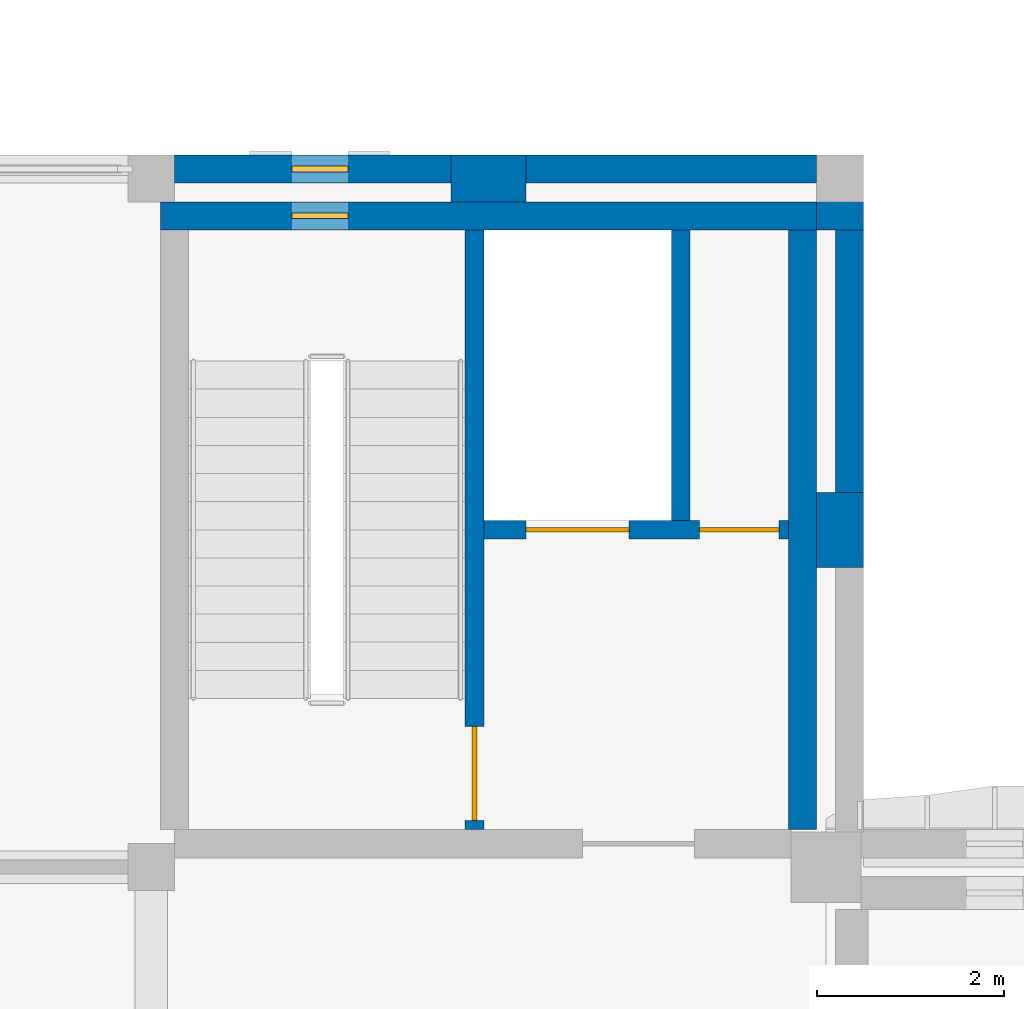
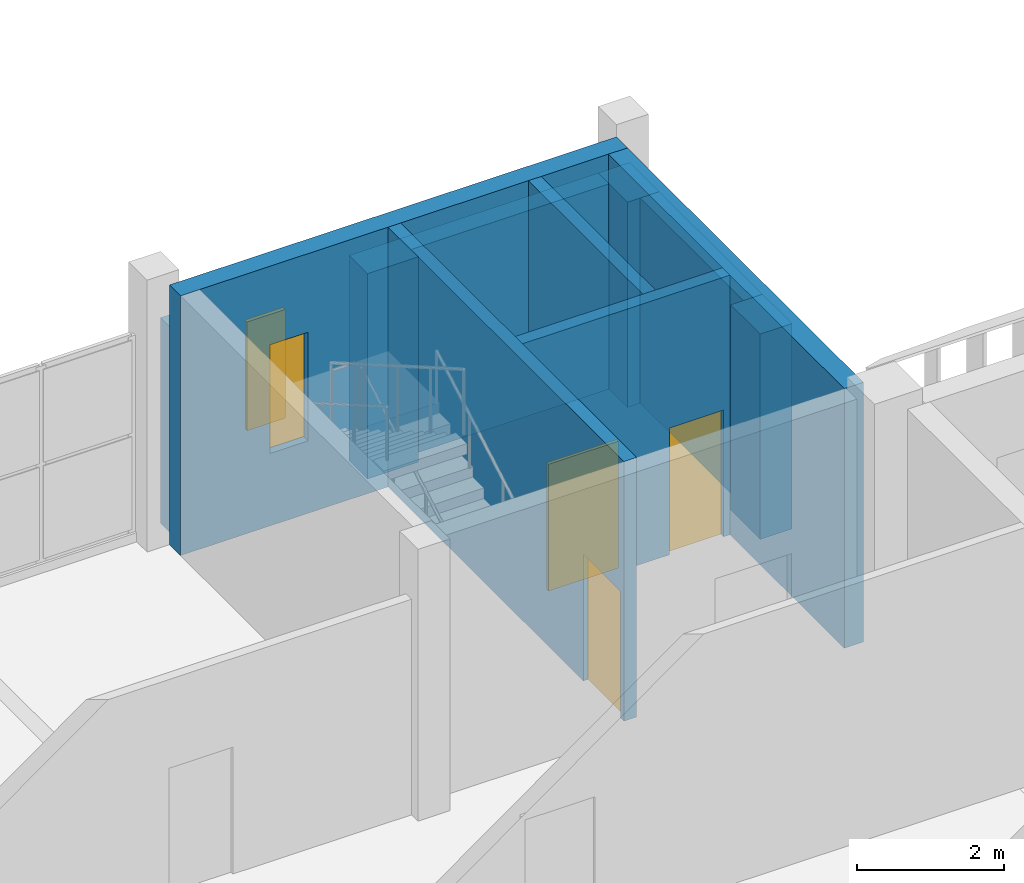
# One storey, part 25 of 58: 11 walls, 3 doors, 2 windows, 5 openings.
"""IFC4 building model written with IfcOpenShell, lengths in metres."""

from ifc_helpers import new_model, si_unit, direction, frame, frame_2d, origin, place, context, subcontext, project, spatial, rectangle, extrude, material, layer, layer_set, type_object, element, fill, save


model = new_model("IFC4")

# Units and contexts
model_context = context("Model", 3, precision=1e-05, world=origin(), true_north=direction((0.0, 1.0)))
body_context = subcontext(model_context, "Body", "Model", "MODEL_VIEW")
ifc_project = project(units=[si_unit("LENGTHUNIT", "METRE"), si_unit("AREAUNIT", "SQUARE_METRE"), si_unit("VOLUMEUNIT", "CUBIC_METRE"), si_unit("PLANEANGLEUNIT", "RADIAN"), si_unit("MASSUNIT", "GRAM", prefix="KILO")], contexts=[model_context])

# Site, building, storey
site_placement = place(None, origin())
site = spatial("IfcSite", under=ifc_project, at=site_placement, CompositionType="ELEMENT")
building_placement = place(site_placement, origin())
building = spatial("IfcBuilding", under=site, at=building_placement, Name="Ussher Court Research Institute", CompositionType="ELEMENT")
storey_placement = place(building_placement, frame((0.0, 0.0, 9.89990234375)))
storey = spatial("IfcBuildingStorey", under=building, at=storey_placement, Name="L02", CompositionType="ELEMENT", Elevation=9.89990234375)

# Wall, opening, window
ifc_material_1 = material(Name="Limestone facing on blockwork", Category="masonry")
ifc_layer_1 = layer(ifc_material_1, 0.300048828125)
ifc_layer_set_1 = layer_set([ifc_layer_1], Name="Limestone facing on blockwork")
wall_type_1 = type_object("IfcWallType", Name="External wall 300 stair enclosure", PredefinedType="SOLIDWALL", material=ifc_layer_set_1)
wall_1_placement = place(storey_placement, frame((75.25, 40.25, 0.0), z_axis=(0.0, 0.0, 1.0), x_axis=(1.0, 0.0, 0.0)))
wall_1 = element("IfcWall", 1, at=wall_1_placement, inside=storey, type_object=wall_type_1, Name="External wall EW5 L02", PredefinedType="SOLIDWALL", context=body_context, shape_type="SweptSolid", body=[
    extrude(rectangle(XDim=2.949951171875, YDim=0.300048828125, at=frame_2d((1.47509765625, 0.0))), origin(), (0.0, 0.0, 1.0), 3.400146484375),
])
opening_1_placement = place(wall_1_placement, frame((1.25, 0.0, 1.199951171875)))
opening_1 = element("IfcOpeningElement", 2, at=opening_1_placement, cuts=wall_1, Name="Opening W25", PredefinedType="OPENING", context=body_context, shape_type="SweptSolid", body=[
    extrude(rectangle(XDim=0.60009765625, YDim=1.800048828125, at=frame_2d((0.300048828125, 0.89990234375))), frame((0.0, 0.16015625, 0.0), z_axis=(0.0, -1.0, 0.0), x_axis=(1.0, 0.0, 0.0)), (0.0, 0.0, 1.0), 0.320068359375),
])
ifc_material_2 = material(Name="Bronze anodised aluminium with double glazing", Category="aluminium")
window_type = type_object("IfcWindowType", Name="Stair light slot window 600x1800 fire-resisting glazing", PartitioningType="SINGLE_PANEL", PredefinedType="WINDOW", material=ifc_material_2)
window_1_placement = place(opening_1_placement, origin())
window_1 = element("IfcWindow", 3, at=window_1_placement, inside=storey, type_object=window_type, Name="Window W25 L02", OverallHeight=1.800048828125, OverallWidth=0.60009765625, PartitioningType="SINGLE_PANEL", PredefinedType="WINDOW", context=body_context, shape_type="SweptSolid", body=[
    extrude(rectangle(XDim=0.60009765625, YDim=1.800048828125, at=frame_2d((0.300048828125, 0.89990234375))), frame((0.0, 0.030029296875, 0.0), z_axis=(0.0, -1.0, 0.0), x_axis=(1.0, 0.0, 0.0)), (0.0, 0.0, 1.0), 0.06005859375),
])
fill(opening_1, window_1)

# Walls
wall_2_placement = place(storey_placement, frame((79.0, 40.25, 0.0), z_axis=(0.0, 0.0, 1.0), x_axis=(1.0, 0.0, 0.0)))
element("IfcWall", 4, at=wall_2_placement, inside=storey, type_object=wall_type_1, Name="External wall EW5 L02", PredefinedType="SOLIDWALL", context=body_context, shape_type="SweptSolid", body=[
    extrude(rectangle(XDim=3.10009765625, YDim=0.300048828125, at=frame_2d((1.550048828125, 0.0))), origin(), (0.0, 0.0, 1.0), 3.400146484375),
])
wall_3_placement = place(storey_placement, frame((82.449951171875, 39.60009765625, 0.0), z_axis=(0.0, 0.0, 1.0), x_axis=(0.0, -1.0, 0.0)))
element("IfcWall", 5, at=wall_3_placement, inside=storey, type_object=wall_type_1, Name="External wall EW5 L02", PredefinedType="SOLIDWALL", context=body_context, shape_type="SweptSolid", body=[
    extrude(rectangle(XDim=2.800048828125, YDim=0.300048828125, at=frame_2d((1.39990234375, 0.0))), origin(), (0.0, 0.0, 1.0), 3.400146484375),
])
ifc_material_3 = material(Name="Rusticated limestone facing on blockwork", Category="masonry")
ifc_layer_2 = layer(ifc_material_3, 0.5)
ifc_layer_set_2 = layer_set([ifc_layer_2], Name="Rusticated limestone facing on blockwork")
wall_type_2 = type_object("IfcWallType", Name="Pier 800x500 rusticated limestone", PredefinedType="SOLIDWALL", material=ifc_layer_set_2)
wall_4_placement = place(storey_placement, frame((78.199951171875, 40.14990234375, 0.0), z_axis=(0.0, 0.0, 1.0), x_axis=(1.0, 0.0, 0.0)))
element("IfcWall", 6, at=wall_4_placement, inside=storey, type_object=wall_type_2, Name="Pier PR2 L02", PredefinedType="SOLIDWALL", context=body_context, shape_type="SweptSolid", body=[
    extrude(rectangle(XDim=0.800048828125, YDim=0.5, at=frame_2d((0.39990234375, 0.0))), origin(), (0.0, 0.0, 1.0), 3.400146484375),
])
wall_5_placement = place(storey_placement, frame((82.35009765625, 40.39990234375, 0.0), z_axis=(0.0, 0.0, 1.0), x_axis=(0.0, -1.0, 0.0)))
element("IfcWall", 7, at=wall_5_placement, inside=storey, type_object=wall_type_2, Name="Pier PR2 L02", PredefinedType="SOLIDWALL", context=body_context, shape_type="SweptSolid", body=[
    extrude(rectangle(XDim=0.7998046875, YDim=0.5, at=frame_2d((0.39990234375, 0.0))), origin(), (0.0, 0.0, 1.0), 3.400146484375),
])
wall_6_placement = place(storey_placement, frame((82.35009765625, 36.800048828125, 0.0), z_axis=(0.0, 0.0, 1.0), x_axis=(0.0, -1.0, 0.0)))
element("IfcWall", 8, at=wall_6_placement, inside=storey, type_object=wall_type_2, Name="Pier PR2 L02", PredefinedType="SOLIDWALL", context=body_context, shape_type="SweptSolid", body=[
    extrude(rectangle(XDim=0.800048828125, YDim=0.5, at=frame_2d((0.39990234375, 0.0))), origin(), (0.0, 0.0, 1.0), 3.400146484375),
])

# Wall, opening, door
ifc_material_4 = material(Name="Concrete C35/45", Category="concrete")
ifc_layer_3 = layer(ifc_material_4, 0.199951171875)
ifc_layer_set_3 = layer_set([ifc_layer_3], Name="Concrete C35/45")
wall_type_3 = type_object("IfcWallType", Name="RC core wall 200", PredefinedType="SHEAR", material=ifc_layer_set_3)
wall_7_placement = place(storey_placement, frame((78.449951171875, 33.199951171875, 0.0), z_axis=(0.0, 0.0, 1.0), x_axis=(0.0, 1.0, 0.0)))
wall_7 = element("IfcWall", 9, at=wall_7_placement, inside=storey, type_object=wall_type_3, Name="Core wall E1", PredefinedType="SHEAR", context=body_context, shape_type="SweptSolid", body=[
    extrude(rectangle(XDim=6.400146484375, YDim=0.199951171875, at=frame_2d((3.2001953125, 0.0))), origin(), (0.0, 0.0, 1.0), 4.300048828125),
])
opening_2_placement = place(wall_7_placement, frame((0.10009765625, 0.0, 0.0)))
opening_2 = element("IfcOpeningElement", 10, at=opening_2_placement, cuts=wall_7, Name="Opening D02038", PredefinedType="OPENING", context=body_context, shape_type="SweptSolid", body=[
    extrude(rectangle(XDim=1.0, YDim=2.10009765625, at=frame_2d((0.5, 1.050048828125))), frame((0.0, 0.10986328125, 0.0), z_axis=(0.0, -1.0, 0.0), x_axis=(1.0, 0.0, 0.0)), (0.0, 0.0, 1.0), 0.219970703125),
])
ifc_material_5 = material(Name="Painted steel faced fire door", Category="steel")
door_type_1 = type_object("IfcDoorType", Name="Fire door 1000x2100 FD60", OperationType="NOTDEFINED", PredefinedType="DOOR", material=ifc_material_5)
door_1_placement = place(opening_2_placement, origin())
door_1 = element("IfcDoor", 11, at=door_1_placement, inside=storey, type_object=door_type_1, Name="Door D02038", OperationType="SINGLE_SWING_LEFT", OverallHeight=2.10009765625, OverallWidth=1.0, PredefinedType="DOOR", context=body_context, shape_type="SweptSolid", body=[
    extrude(rectangle(XDim=1.0, YDim=2.10009765625, at=frame_2d((0.5, 1.050048828125))), frame((0.0, 0.02490234375, 0.0), z_axis=(0.0, -1.0, 0.0), x_axis=(1.0, 0.0, 0.0)), (0.0, 0.0, 1.0), 0.050048828125),
])
fill(opening_2, door_1)

# Wall, openings, doors
wall_8_placement = place(storey_placement, frame((81.800048828125, 36.39990234375, 0.0), z_axis=(0.0, 0.0, 1.0), x_axis=(-1.0, 0.0, 0.0)))
wall_8 = element("IfcWall", 12, at=wall_8_placement, inside=storey, type_object=wall_type_3, Name="Core wall E1", PredefinedType="SHEAR", context=body_context, shape_type="SweptSolid", body=[
    extrude(rectangle(XDim=3.25, YDim=0.199951171875, at=frame_2d((1.625, 0.0))), origin(), (0.0, 0.0, 1.0), 4.300048828125),
])
opening_3_placement = place(wall_8_placement, frame((1.699951171875, 0.0, 0.0)))
opening_3 = element("IfcOpeningElement", 13, at=opening_3_placement, cuts=wall_8, Name="Opening LD34", PredefinedType="OPENING", context=body_context, shape_type="SweptSolid", body=[
    extrude(rectangle(XDim=1.10009765625, YDim=2.10009765625, at=frame_2d((0.550048828125, 1.050048828125))), frame((0.0, 0.10986328125, 0.0), z_axis=(0.0, -1.0, 0.0), x_axis=(1.0, 0.0, 0.0)), (0.0, 0.0, 1.0), 0.219970703125),
])
opening_4_placement = place(wall_8_placement, frame((0.10009765625, 0.0, 0.0)))
opening_4 = element("IfcOpeningElement", 14, at=opening_4_placement, cuts=wall_8, Name="Opening D02045", PredefinedType="OPENING", context=body_context, shape_type="SweptSolid", body=[
    extrude(rectangle(XDim=0.85009765625, YDim=2.10009765625, at=frame_2d((0.425048828125, 1.050048828125))), frame((0.0, 0.10986328125, 0.0), z_axis=(0.0, -1.0, 0.0), x_axis=(1.0, 0.0, 0.0)), (0.0, 0.0, 1.0), 0.219970703125),
])
ifc_material_6 = material(Name="Painted steel faced fire door", Category="steel")
door_type_2 = type_object("IfcDoorType", Name="Fire door 850x2100 FD60", OperationType="NOTDEFINED", PredefinedType="DOOR", material=ifc_material_6)
door_2_placement = place(opening_4_placement, origin())
door_2 = element("IfcDoor", 15, at=door_2_placement, inside=storey, type_object=door_type_2, Name="Door D02045", OperationType="SINGLE_SWING_LEFT", OverallHeight=2.10009765625, OverallWidth=0.85009765625, PredefinedType="DOOR", context=body_context, shape_type="SweptSolid", body=[
    extrude(rectangle(XDim=0.85009765625, YDim=2.10009765625, at=frame_2d((0.425048828125, 1.050048828125))), frame((0.0, 0.02490234375, 0.0), z_axis=(0.0, -1.0, 0.0), x_axis=(1.0, 0.0, 0.0)), (0.0, 0.0, 1.0), 0.050048828125),
])
fill(opening_4, door_2)
ifc_material_7 = material(Name="Stainless steel lift door", Category="steel")
door_type_3 = type_object("IfcDoorType", Name="Lift landing door 1100x2100 sliding", OperationType="DOUBLE_DOOR_SLIDING", PredefinedType="DOOR", material=ifc_material_7)
door_3_placement = place(opening_3_placement, origin())
door_3 = element("IfcDoor", 16, at=door_3_placement, inside=storey, type_object=door_type_3, Name="Landing door E1-1 L02", OperationType="DOUBLE_DOOR_SLIDING", OverallHeight=2.10009765625, OverallWidth=1.10009765625, PredefinedType="DOOR", context=body_context, shape_type="SweptSolid", body=[
    extrude(rectangle(XDim=1.10009765625, YDim=2.10009765625, at=frame_2d((0.550048828125, 1.050048828125))), frame((0.0, 0.02490234375, 0.0), z_axis=(0.0, -1.0, 0.0), x_axis=(1.0, 0.0, 0.0)), (0.0, 0.0, 1.0), 0.050048828125),
])
fill(opening_3, door_3)

# Wall
wall_9_placement = place(storey_placement, frame((80.64990234375, 36.5, 0.0), z_axis=(0.0, 0.0, 1.0), x_axis=(0.0, 1.0, 0.0)))
element("IfcWall", 17, at=wall_9_placement, inside=storey, type_object=wall_type_3, Name="Core wall E1", PredefinedType="SHEAR", context=body_context, shape_type="SweptSolid", body=[
    extrude(rectangle(XDim=3.10009765625, YDim=0.199951171875, at=frame_2d((1.550048828125, 0.0))), origin(), (0.0, 0.0, 1.0), 4.300048828125),
])

# Wall, opening, window
ifc_material_8 = material(Name="Concrete C35/45", Category="concrete")
ifc_layer_4 = layer(ifc_material_8, 0.300048828125)
ifc_layer_set_4 = layer_set([ifc_layer_4], Name="Concrete C35/45")
wall_type_4 = type_object("IfcWallType", Name="RC core wall 300", PredefinedType="SHEAR", material=ifc_layer_set_4)
wall_10_placement = place(storey_placement, frame((75.10009765625, 39.75, 0.0), z_axis=(0.0, 0.0, 1.0), x_axis=(1.0, 0.0, 0.0)))
wall_10 = element("IfcWall", 18, at=wall_10_placement, inside=storey, type_object=wall_type_4, Name="Core wall E1", PredefinedType="SHEAR", context=body_context, shape_type="SweptSolid", body=[
    extrude(rectangle(XDim=7.0, YDim=0.300048828125, at=frame_2d((3.5, 0.0))), origin(), (0.0, 0.0, 1.0), 4.300048828125),
])
opening_5_placement = place(wall_10_placement, frame((1.39990234375, 0.0, 1.199951171875)))
opening_5 = element("IfcOpeningElement", 19, at=opening_5_placement, cuts=wall_10, Name="Opening W25", PredefinedType="OPENING", context=body_context, shape_type="SweptSolid", body=[
    extrude(rectangle(XDim=0.60009765625, YDim=1.800048828125, at=frame_2d((0.300048828125, 0.89990234375))), frame((0.0, 0.16015625, 0.0), z_axis=(0.0, -1.0, 0.0), x_axis=(1.0, 0.0, 0.0)), (0.0, 0.0, 1.0), 0.320068359375),
])
window_2_placement = place(opening_5_placement, origin())
window_2 = element("IfcWindow", 20, at=window_2_placement, inside=storey, type_object=window_type, Name="Window stair light E1 L02", OverallHeight=1.800048828125, OverallWidth=0.60009765625, PartitioningType="SINGLE_PANEL", PredefinedType="WINDOW", context=body_context, shape_type="SweptSolid", body=[
    extrude(rectangle(XDim=0.60009765625, YDim=1.800048828125, at=frame_2d((0.300048828125, 0.89990234375))), frame((0.0, 0.030029296875, 0.0), z_axis=(0.0, -1.0, 0.0), x_axis=(1.0, 0.0, 0.0)), (0.0, 0.0, 1.0), 0.06005859375),
])
fill(opening_5, window_2)

# Wall
wall_11_placement = place(storey_placement, frame((81.949951171875, 33.199951171875, 0.0), z_axis=(0.0, 0.0, 1.0), x_axis=(0.0, 1.0, 0.0)))
element("IfcWall", 21, at=wall_11_placement, inside=storey, type_object=wall_type_4, Name="Core wall E1", PredefinedType="SHEAR", context=body_context, shape_type="SweptSolid", body=[
    extrude(rectangle(XDim=6.400146484375, YDim=0.300048828125, at=frame_2d((3.2001953125, 0.0))), origin(), (0.0, 0.0, 1.0), 4.300048828125),
])

save(model, "model.ifc")
